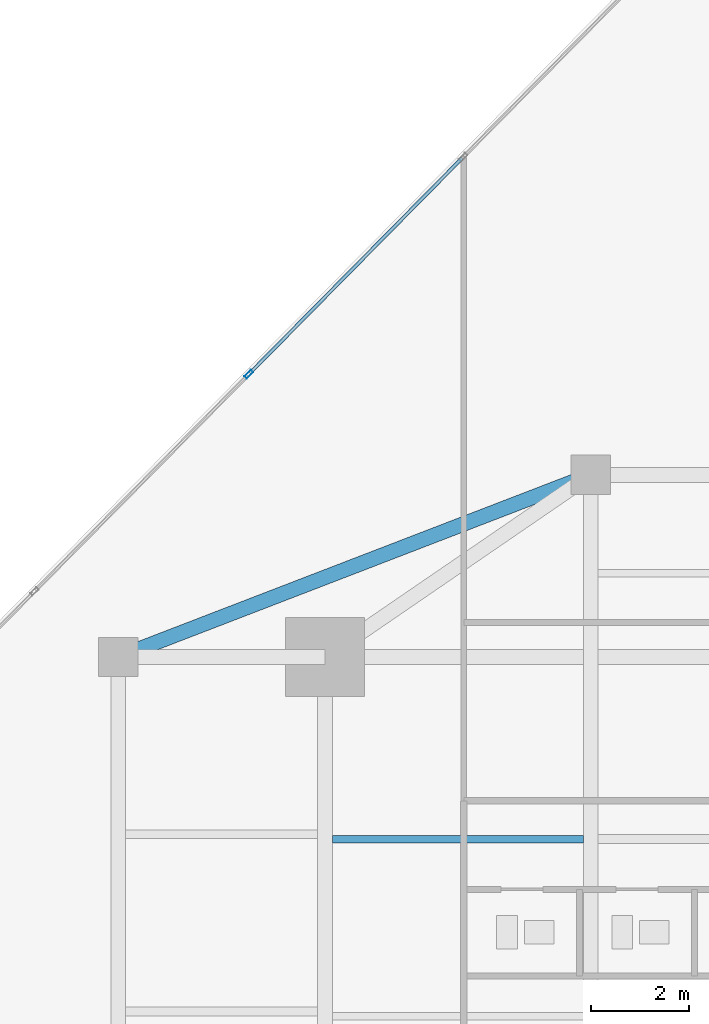
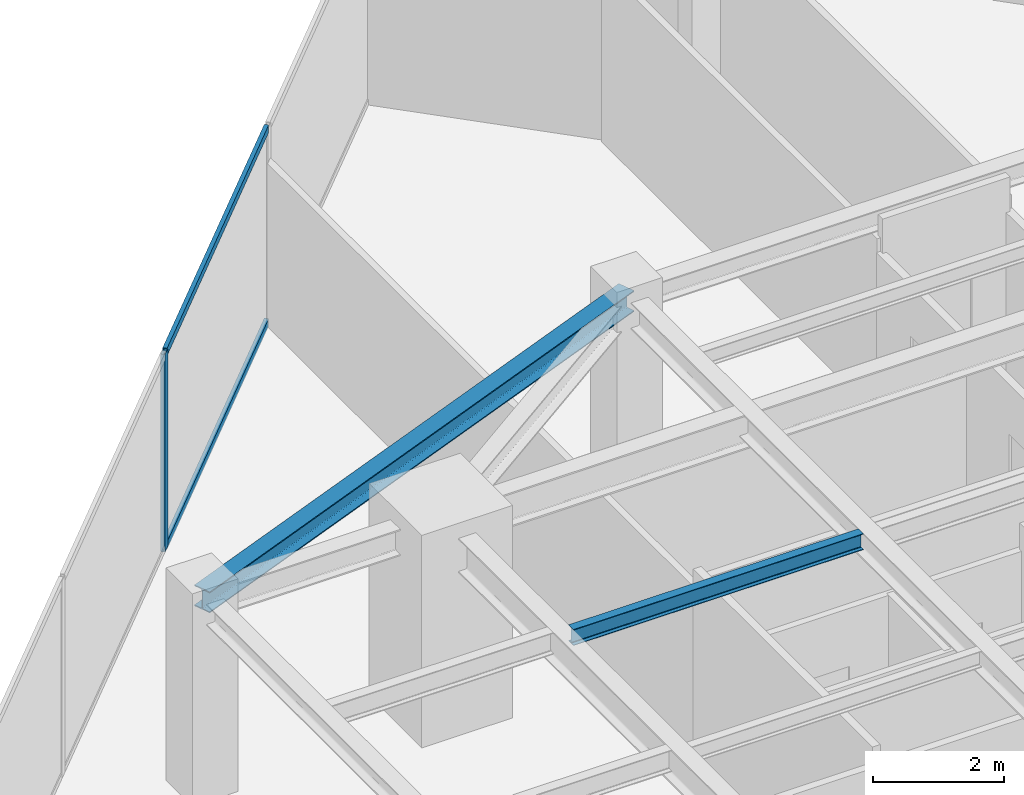
# One storey, part 14 of 24: 3 members, 2 beams, 1 element without a shape of its own.
"""IFC4 building model written with IfcOpenShell, lengths in metres."""

from ifc_helpers import new_model, si_unit, direction, frame, origin, origin_2d, place, context, subcontext, project, spatial, hollow_rectangle, i_section, extrude, source, transform, mapped, material, material_profile, profile_set, type_object, type_shapes, element, aggregate, save


model = new_model("IFC4")

# Units and contexts
model_context = context("Model", 3, precision=1e-05, world=origin(), true_north=direction((0.0, 1.0)))
body_context = subcontext(model_context, "Body", "Model", "MODEL_VIEW")
ifc_project = project(units=[si_unit("LENGTHUNIT", "METRE"), si_unit("AREAUNIT", "SQUARE_METRE"), si_unit("VOLUMEUNIT", "CUBIC_METRE"), si_unit("PLANEANGLEUNIT", "RADIAN"), si_unit("MASSUNIT", "GRAM", prefix="KILO")], contexts=[model_context])

# Site, building, storey
site_placement = place(None, origin())
site = spatial("IfcSite", under=ifc_project, at=site_placement, CompositionType="ELEMENT")
building_placement = place(site_placement, origin())
building = spatial("IfcBuilding", under=site, at=building_placement, Name="Krantzveldt Concourse Tower", CompositionType="ELEMENT")
storey_placement = place(building_placement, frame((0.0, 0.0, 234.949951171875)))
storey = spatial("IfcBuildingStorey", under=building, at=storey_placement, Name="L57", CompositionType="ELEMENT", Elevation=234.949951171875)

# Beams
ifc_material_1 = material(Name="Steel S355JR", Category="steel")
ifc_material_profile_1 = material_profile(ifc_material_1, i_section(OverallWidth=0.300048828125, OverallDepth=0.389892578125, WebThickness=0.010986328125, FlangeThickness=0.01904296875, FilletRadius=0.027099609375, at=origin_2d()), Name="Steel S355JR", Category="steel")
ifc_profile_set_1 = profile_set([ifc_material_profile_1], Name="Steel S355JR - HEA 400")
beam_type_1 = type_object("IfcBeamType", Name="BM-SP-HEA400", PredefinedType="SPANDREL", material=ifc_profile_set_1)
shared_shape_1 = source(origin(), body_context, "Body", "SweptSolid", [
    extrude(i_section(OverallWidth=0.300048828125, OverallDepth=0.389892578125, WebThickness=0.010986328125, FlangeThickness=0.01904296875, FilletRadius=0.027099609375, at=origin_2d()), origin(), (0.0, 0.0, 1.0), 10.288330078125),
])
type_shapes(beam_type_1, [shared_shape_1])
beam_1_placement = place(storey_placement, frame((21.0, 37.5, 3.47509765625), z_axis=(0.933097690408, 0.359622997257, 0.0), x_axis=(-0.359622997257, 0.933097690408, 0.0)))
element("IfcBeam", 1, at=beam_1_placement, inside=storey, type_object=beam_type_1, Name="L57 Tower Girder SP-R03", PredefinedType="SPANDREL", context=body_context, shape_type="MappedRepresentation", body=[
    mapped(shared_shape_1, transform((0.0, 0.0, 0.0), x_axis=(1.0, 0.0, 0.0), y_axis=(0.0, 1.0, 0.0), z_axis=(0.0, 0.0, 1.0), scale=1.0)),
])
ifc_material_profile_2 = material_profile(ifc_material_1, i_section(OverallWidth=0.14990234375, OverallDepth=0.300048828125, WebThickness=0.007080078125, FlangeThickness=0.0107421875, FilletRadius=0.014892578125, at=origin_2d()), Name="Steel S355JR", Category="steel")
ifc_profile_set_2 = profile_set([ifc_material_profile_2], Name="Steel S355JR - IPE 300")
beam_type_2 = type_object("IfcBeamType", Name="BM-J-IPE300", PredefinedType="JOIST", material=ifc_profile_set_2)
shared_shape_2 = source(origin(), body_context, "Body", "SweptSolid", [
    extrude(i_section(OverallWidth=0.14990234375, OverallDepth=0.300048828125, WebThickness=0.007080078125, FlangeThickness=0.0107421875, FilletRadius=0.014892578125, at=origin_2d()), origin(), (0.0, 0.0, 1.0), 5.099853515625),
])
type_shapes(beam_type_2, [shared_shape_2])
beam_2_placement = place(storey_placement, frame((25.35009765625, 33.800048828125, 3.52001953125), z_axis=(1.0, 0.0, 0.0), x_axis=(0.0, 1.0, 0.0)))
element("IfcBeam", 2, at=beam_2_placement, inside=storey, type_object=beam_type_2, Name="L57 Secondary Floor Joist JN-W2", PredefinedType="JOIST", context=body_context, shape_type="MappedRepresentation", body=[
    mapped(shared_shape_2, transform((0.0, 0.0, 0.0), x_axis=(1.0, 0.0, 0.0), y_axis=(0.0, 1.0, 0.0), z_axis=(0.0, 0.0, 1.0), scale=1.0)),
])

# Curtain wall, members
ifc_material_2 = material(Name="Anodised aluminium 6063-T6", Category="aluminium")
curtain_wall_type = type_object("IfcCurtainWallType", Name="CW3", PredefinedType="USERDEFINED", material=ifc_material_2)
curtain_wall_placement = place(storey_placement, origin())
curtain_wall = element("IfcCurtainWall", 3, at=curtain_wall_placement, inside=storey, type_object=curtain_wall_type, Name="CW-L57-F01", ObjectType="UNITISED CURTAIN WALL", PredefinedType="USERDEFINED")
ifc_material_profile_3 = material_profile(ifc_material_2, hollow_rectangle(XDim=0.070068359375, YDim=0.179931640625, WallThickness=0.0048828125, at=origin_2d()), Name="Anodised aluminium 6063-T6", Category="aluminium")
ifc_profile_set_3 = profile_set([ifc_material_profile_3], Name="Anodised aluminium 6063-T6 - ALU-MULL 180x70x5")
member_type_1 = type_object("IfcMemberType", Name="CW-MUL-180", PredefinedType="MULLION", material=ifc_profile_set_3)
shared_shape_3 = source(origin(), body_context, "Body", "SweptSolid", [
    extrude(hollow_rectangle(XDim=0.070068359375, YDim=0.179931640625, WallThickness=0.0048828125, at=origin_2d()), origin(), (0.0, 0.0, 1.0), 3.670166015625),
])
type_shapes(member_type_1, [shared_shape_3])
member_1_placement = place(storey_placement, frame((23.6513671875, 43.24365234375, 0.0), z_axis=(0.0, 0.0, 1.0), x_axis=(0.711719700179, -0.702463570854, 0.0)))
member_1 = element("IfcMember", 4, at=member_1_placement, type_object=member_type_1, Name="CW-Z34 mullion 3", PredefinedType="MULLION", context=body_context, shape_type="MappedRepresentation", body=[
    mapped(shared_shape_3, transform((0.0, 0.0, 0.0), x_axis=(1.0, 0.0, 0.0), y_axis=(0.0, 1.0, 0.0), z_axis=(0.0, 0.0, 1.0), scale=1.0)),
])
ifc_material_profile_4 = material_profile(ifc_material_2, hollow_rectangle(XDim=0.070068359375, YDim=0.139892578125, WallThickness=0.0048828125, at=origin_2d()), Name="Anodised aluminium 6063-T6", Category="aluminium")
ifc_profile_set_4 = profile_set([ifc_material_profile_4], Name="Anodised aluminium 6063-T6 - ALU-TRAN 140x70x5")
member_type_2 = type_object("IfcMemberType", Name="CW-TRN-150", PredefinedType="USERDEFINED", material=ifc_profile_set_4)
shared_shape_4 = source(origin(), body_context, "Body", "SweptSolid", [
    extrude(hollow_rectangle(XDim=0.070068359375, YDim=0.139892578125, WallThickness=0.0048828125, at=origin_2d()), origin(), (0.0, 0.0, 1.0), 6.1298828125),
])
type_shapes(member_type_2, [shared_shape_4])
member_2_placement = place(storey_placement, frame((27.982177734375, 47.63134765625, 0.03515625), z_axis=(-0.702471736112, -0.71171164102, 0.0), x_axis=(0.71171164102, -0.702471736112, 0.0)))
member_2 = element("IfcMember", 5, at=member_2_placement, type_object=member_type_2, Name="CW-Z34 transom 2.1", ObjectType="TRANSOM", PredefinedType="USERDEFINED", context=body_context, shape_type="MappedRepresentation", body=[
    mapped(shared_shape_4, transform((0.0, 0.0, 0.0), x_axis=(1.0, 0.0, 0.0), y_axis=(0.0, 1.0, 0.0), z_axis=(0.0, 0.0, 1.0), scale=1.0)),
])
member_3_placement = place(storey_placement, frame((27.982177734375, 47.63134765625, 3.635009765625), z_axis=(-0.702471736112, -0.71171164102, 0.0), x_axis=(0.71171164102, -0.702471736112, 0.0)))
member_3 = element("IfcMember", 6, at=member_3_placement, type_object=member_type_2, Name="CW-Z34 transom 2.2", ObjectType="TRANSOM", PredefinedType="USERDEFINED", context=body_context, shape_type="MappedRepresentation", body=[
    mapped(shared_shape_4, transform((0.0, 0.0, 0.0), x_axis=(1.0, 0.0, 0.0), y_axis=(0.0, 1.0, 0.0), z_axis=(0.0, 0.0, 1.0), scale=1.0)),
])
aggregate(curtain_wall, [member_1, member_2, member_3])

save(model, "model.ifc")
